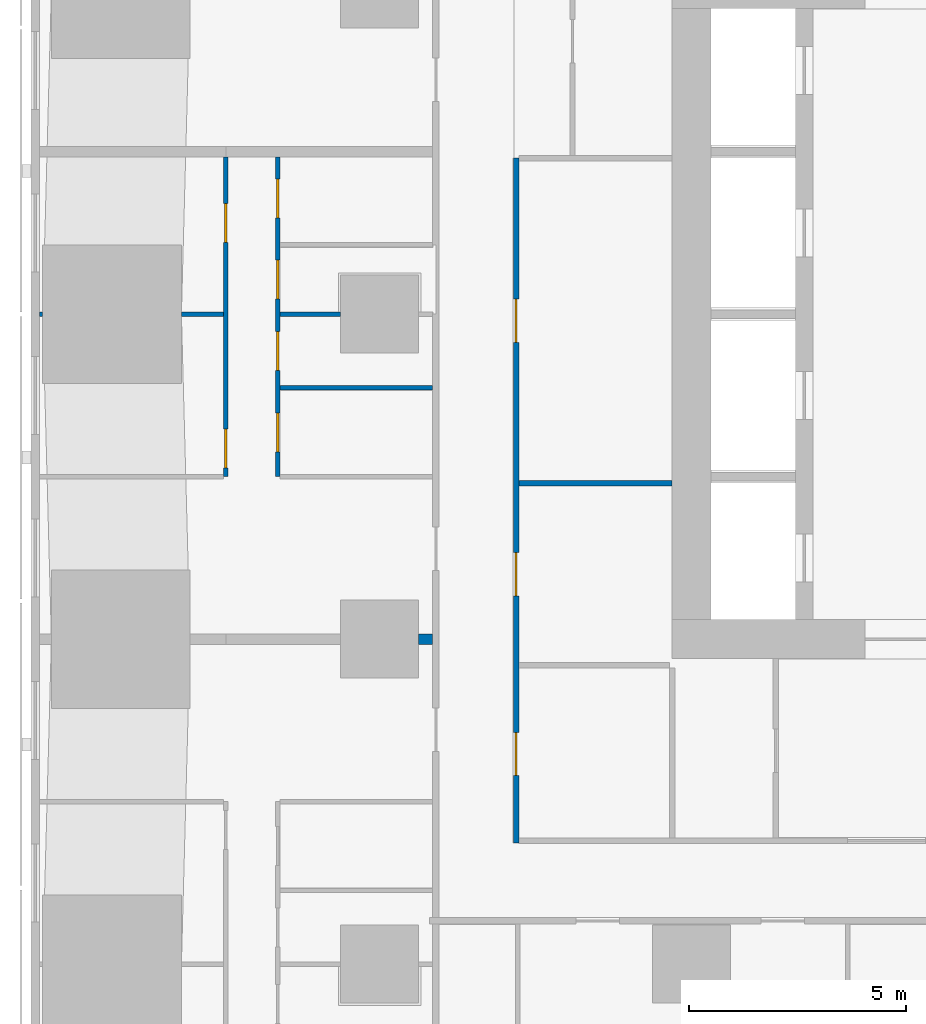
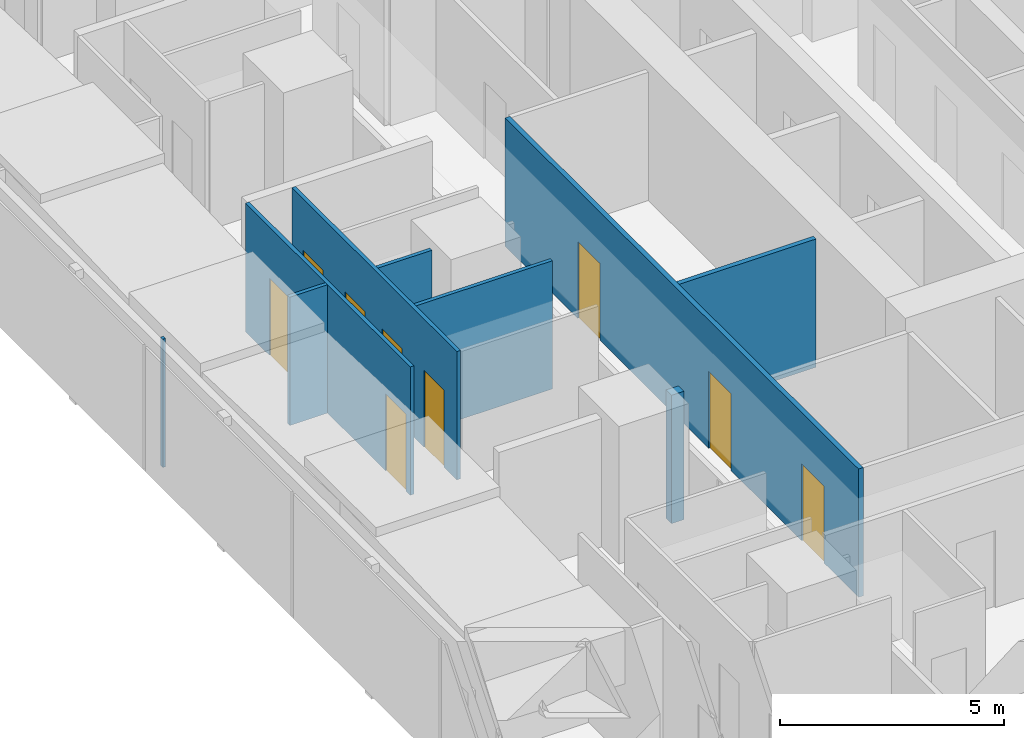
# One storey, part 6 of 18: 9 doors, 9 walls, 9 openings.
"""IFC4 building model written with IfcOpenShell, lengths in metres."""

from ifc_helpers import new_model, si_unit, direction, frame, frame_2d, origin, place, context, subcontext, project, spatial, rectangle, extrude, material, layer, layer_set, type_object, element, fill, save


model = new_model("IFC4")

# Units and contexts
model_context = context("Model", 3, precision=1e-05, world=origin(), true_north=direction((0.0, 1.0)))
body_context = subcontext(model_context, "Body", "Model", "MODEL_VIEW")
ifc_project = project(units=[si_unit("LENGTHUNIT", "METRE"), si_unit("AREAUNIT", "SQUARE_METRE"), si_unit("VOLUMEUNIT", "CUBIC_METRE"), si_unit("PLANEANGLEUNIT", "RADIAN"), si_unit("MASSUNIT", "GRAM", prefix="KILO")], contexts=[model_context])

# Site, building, storey
site_placement = place(None, origin())
site = spatial("IfcSite", under=ifc_project, at=site_placement, CompositionType="ELEMENT")
building_placement = place(site_placement, origin())
building = spatial("IfcBuilding", under=site, at=building_placement, Name="Sheger Commons Tower", CompositionType="ELEMENT")
storey_placement = place(building_placement, frame((0.0, 0.0, 20.0)))
storey = spatial("IfcBuildingStorey", under=building, at=storey_placement, Name="L04", CompositionType="ELEMENT", Elevation=20.0)

# Wall
ifc_material_1 = material(Name="Dense concrete block masonry, plastered both sides (separating wall between flats)", Category="masonry")
ifc_layer_1 = layer(ifc_material_1, 0.25)
ifc_layer_set_1 = layer_set([ifc_layer_1], Name="DEMISING WALL 250")
wall_type_1 = type_object("IfcWallType", Name="DEMISING WALL 250", PredefinedType="SOLIDWALL", material=ifc_layer_set_1)
wall_1_placement = place(storey_placement, frame((8.10107421875, 15.0, 0.0), z_axis=(0.0, 0.0, 1.0), x_axis=(1.0, 0.0, 0.0)))
element("IfcWall", 1, at=wall_1_placement, inside=storey, type_object=wall_type_1, Name="Demising wall L04", PredefinedType="SOLIDWALL", context=body_context, shape_type="SweptSolid", body=[
    extrude(rectangle(XDim=0.323974609375, YDim=0.25, at=frame_2d((0.162109375, 0.0))), origin(), (0.0, 0.0, 1.0), 3.5),
])

# Wall, openings, doors
ifc_material_2 = material(Name="Gypsum board on steel studs", Category="steel")
ifc_layer_2 = layer(ifc_material_2, 0.10009765625)
ifc_layer_set_2 = layer_set([ifc_layer_2], Name="PARTITION 100")
wall_type_2 = type_object("IfcWallType", Name="PARTITION 100", PredefinedType="PARTITIONING", material=ifc_layer_set_2)
wall_2_placement = place(storey_placement, frame((3.64990234375, 18.75, 0.0), z_axis=(0.0, 0.0, 1.0), x_axis=(0.0, 1.0, 0.0)))
wall_2 = element("IfcWall", 2, at=wall_2_placement, inside=storey, type_object=wall_type_2, Name="Partition L04", PredefinedType="PARTITIONING", context=body_context, shape_type="SweptSolid", body=[
    extrude(rectangle(XDim=7.375, YDim=0.10009765625, at=frame_2d((3.6875, 0.0))), origin(), (0.0, 0.0, 1.0), 3.5),
])
opening_1_placement = place(wall_2_placement, frame((0.199951171875, 0.0, 0.0)))
opening_1 = element("IfcOpeningElement", 3, at=opening_1_placement, cuts=wall_2, Name="Opening D2", PredefinedType="OPENING", context=body_context, shape_type="SweptSolid", body=[
    extrude(rectangle(XDim=0.89990234375, YDim=2.10009765625, at=frame_2d((0.449951171875, 1.050048828125))), frame((0.0, 0.06005859375, 0.0), z_axis=(0.0, -1.0, 0.0), x_axis=(1.0, 0.0, 0.0)), (0.0, 0.0, 1.0), 0.1201171875),
])
opening_2_placement = place(wall_2_placement, frame((5.39990234375, 0.0, 0.0)))
opening_2 = element("IfcOpeningElement", 4, at=opening_2_placement, cuts=wall_2, Name="Opening D2", PredefinedType="OPENING", context=body_context, shape_type="SweptSolid", body=[
    extrude(rectangle(XDim=0.89990234375, YDim=2.10009765625, at=frame_2d((0.449951171875, 1.050048828125))), frame((0.0, 0.06005859375, 0.0), z_axis=(0.0, -1.0, 0.0), x_axis=(1.0, 0.0, 0.0)), (0.0, 0.0, 1.0), 0.1201171875),
])
ifc_material_3 = material(Name="Timber door set", Category="wood")
door_type_1 = type_object("IfcDoorType", Name="INTERNAL DOOR 900x2100", OperationType="NOTDEFINED", PredefinedType="DOOR", material=ifc_material_3)
door_1_placement = place(opening_1_placement, origin())
door_1 = element("IfcDoor", 5, at=door_1_placement, inside=storey, type_object=door_type_1, Name="Main bedroom door", OperationType="SINGLE_SWING_LEFT", OverallHeight=2.10009765625, OverallWidth=0.89990234375, PredefinedType="DOOR", context=body_context, shape_type="SweptSolid", body=[
    extrude(rectangle(XDim=0.89990234375, YDim=2.10009765625, at=frame_2d((0.449951171875, 1.050048828125))), frame((0.0, 0.02490234375, 0.0), z_axis=(0.0, -1.0, 0.0), x_axis=(1.0, 0.0, 0.0)), (0.0, 0.0, 1.0), 0.050048828125),
])
fill(opening_1, door_1)
door_2_placement = place(opening_2_placement, origin())
door_2 = element("IfcDoor", 6, at=door_2_placement, inside=storey, type_object=door_type_1, Name="Bedroom 2 door", OperationType="SINGLE_SWING_RIGHT", OverallHeight=2.10009765625, OverallWidth=0.89990234375, PredefinedType="DOOR", context=body_context, shape_type="SweptSolid", body=[
    extrude(rectangle(XDim=0.89990234375, YDim=2.10009765625, at=frame_2d((0.449951171875, 1.050048828125))), frame((0.0, 0.02490234375, 0.0), z_axis=(0.0, -1.0, 0.0), x_axis=(1.0, 0.0, 0.0)), (0.0, 0.0, 1.0), 0.050048828125),
])
fill(opening_2, door_2)

wall_3_placement = place(storey_placement, frame((4.85009765625, 18.75, 0.0), z_axis=(0.0, 0.0, 1.0), x_axis=(0.0, 1.0, 0.0)))
wall_3 = element("IfcWall", 7, at=wall_3_placement, inside=storey, type_object=wall_type_2, Name="Partition L04", PredefinedType="PARTITIONING", context=body_context, shape_type="SweptSolid", body=[
    extrude(rectangle(XDim=7.375, YDim=0.10009765625, at=frame_2d((3.6875, 0.0))), origin(), (0.0, 0.0, 1.0), 3.5),
])
opening_3_placement = place(wall_3_placement, frame((0.574951171875, 0.0, 0.0)))
opening_3 = element("IfcOpeningElement", 8, at=opening_3_placement, cuts=wall_3, Name="Opening D2", PredefinedType="OPENING", context=body_context, shape_type="SweptSolid", body=[
    extrude(rectangle(XDim=0.89990234375, YDim=2.10009765625, at=frame_2d((0.449951171875, 1.050048828125))), frame((0.0, 0.06005859375, 0.0), z_axis=(0.0, -1.0, 0.0), x_axis=(1.0, 0.0, 0.0)), (0.0, 0.0, 1.0), 0.1201171875),
])
opening_4_placement = place(wall_3_placement, frame((4.10009765625, 0.0, 0.0)))
opening_4 = element("IfcOpeningElement", 9, at=opening_4_placement, cuts=wall_3, Name="Opening D2", PredefinedType="OPENING", context=body_context, shape_type="SweptSolid", body=[
    extrude(rectangle(XDim=0.89990234375, YDim=2.10009765625, at=frame_2d((0.449951171875, 1.050048828125))), frame((0.0, 0.06005859375, 0.0), z_axis=(0.0, -1.0, 0.0), x_axis=(1.0, 0.0, 0.0)), (0.0, 0.0, 1.0), 0.1201171875),
])
opening_5_placement = place(wall_3_placement, frame((2.449951171875, 0.0, 0.0)))
opening_5 = element("IfcOpeningElement", 10, at=opening_5_placement, cuts=wall_3, Name="Opening D2", PredefinedType="OPENING", context=body_context, shape_type="SweptSolid", body=[
    extrude(rectangle(XDim=0.89990234375, YDim=2.10009765625, at=frame_2d((0.449951171875, 1.050048828125))), frame((0.0, 0.06005859375, 0.0), z_axis=(0.0, -1.0, 0.0), x_axis=(1.0, 0.0, 0.0)), (0.0, 0.0, 1.0), 0.1201171875),
])
opening_6_placement = place(wall_3_placement, frame((5.97509765625, 0.0, 0.0)))
opening_6 = element("IfcOpeningElement", 11, at=opening_6_placement, cuts=wall_3, Name="Opening D2", PredefinedType="OPENING", context=body_context, shape_type="SweptSolid", body=[
    extrude(rectangle(XDim=0.89990234375, YDim=2.10009765625, at=frame_2d((0.449951171875, 1.050048828125))), frame((0.0, 0.06005859375, 0.0), z_axis=(0.0, -1.0, 0.0), x_axis=(1.0, 0.0, 0.0)), (0.0, 0.0, 1.0), 0.1201171875),
])
door_3_placement = place(opening_3_placement, origin())
door_3 = element("IfcDoor", 12, at=door_3_placement, inside=storey, type_object=door_type_1, Name="Bathroom door", OperationType="SINGLE_SWING_RIGHT", OverallHeight=2.10009765625, OverallWidth=0.89990234375, PredefinedType="DOOR", context=body_context, shape_type="SweptSolid", body=[
    extrude(rectangle(XDim=0.89990234375, YDim=2.10009765625, at=frame_2d((0.449951171875, 1.050048828125))), frame((0.0, 0.02490234375, 0.0), z_axis=(0.0, -1.0, 0.0), x_axis=(1.0, 0.0, 0.0)), (0.0, 0.0, 1.0), 0.050048828125),
])
fill(opening_3, door_3)
door_4_placement = place(opening_4_placement, origin())
door_4 = element("IfcDoor", 13, at=door_4_placement, inside=storey, type_object=door_type_1, Name="Shower room door", OperationType="SINGLE_SWING_RIGHT", OverallHeight=2.10009765625, OverallWidth=0.89990234375, PredefinedType="DOOR", context=body_context, shape_type="SweptSolid", body=[
    extrude(rectangle(XDim=0.89990234375, YDim=2.10009765625, at=frame_2d((0.449951171875, 1.050048828125))), frame((0.0, 0.02490234375, 0.0), z_axis=(0.0, -1.0, 0.0), x_axis=(1.0, 0.0, 0.0)), (0.0, 0.0, 1.0), 0.050048828125),
])
fill(opening_4, door_4)
door_5_placement = place(opening_5_placement, origin())
door_5 = element("IfcDoor", 14, at=door_5_placement, inside=storey, type_object=door_type_1, Name="Store door", OperationType="SINGLE_SWING_RIGHT", OverallHeight=2.10009765625, OverallWidth=0.89990234375, PredefinedType="DOOR", context=body_context, shape_type="SweptSolid", body=[
    extrude(rectangle(XDim=0.89990234375, YDim=2.10009765625, at=frame_2d((0.449951171875, 1.050048828125))), frame((0.0, 0.02490234375, 0.0), z_axis=(0.0, -1.0, 0.0), x_axis=(1.0, 0.0, 0.0)), (0.0, 0.0, 1.0), 0.050048828125),
])
fill(opening_5, door_5)
door_6_placement = place(opening_6_placement, origin())
door_6 = element("IfcDoor", 15, at=door_6_placement, inside=storey, type_object=door_type_1, Name="Store door", OperationType="SINGLE_SWING_LEFT", OverallHeight=2.10009765625, OverallWidth=0.89990234375, PredefinedType="DOOR", context=body_context, shape_type="SweptSolid", body=[
    extrude(rectangle(XDim=0.89990234375, YDim=2.10009765625, at=frame_2d((0.449951171875, 1.050048828125))), frame((0.0, 0.02490234375, 0.0), z_axis=(0.0, -1.0, 0.0), x_axis=(1.0, 0.0, 0.0)), (0.0, 0.0, 1.0), 0.050048828125),
])
fill(opening_6, door_6)

# Walls
wall_4_placement = place(storey_placement, frame((-0.64990234375, 22.5, 0.0), z_axis=(0.0, 0.0, 1.0), x_axis=(1.0, 0.0, 0.0)))
element("IfcWall", 16, at=wall_4_placement, inside=storey, type_object=wall_type_2, Name="Partition L04", PredefinedType="PARTITIONING", context=body_context, shape_type="SweptSolid", body=[
    extrude(rectangle(XDim=0.073974609375, YDim=0.10009765625, at=frame_2d((0.037109375, 0.0))), origin(), (0.0, 0.0, 1.0), 3.5),
])
wall_5_placement = place(storey_placement, frame((2.6259765625, 22.5, 0.0), z_axis=(0.0, 0.0, 1.0), x_axis=(1.0, 0.0, 0.0)))
element("IfcWall", 17, at=wall_5_placement, inside=storey, type_object=wall_type_2, Name="Partition L04", PredefinedType="PARTITIONING", context=body_context, shape_type="SweptSolid", body=[
    extrude(rectangle(XDim=0.97412109375, YDim=0.10009765625, at=frame_2d((0.487060546875, 0.0))), origin(), (0.0, 0.0, 1.0), 3.5),
])
wall_6_placement = place(storey_placement, frame((4.89990234375, 22.5, 0.0), z_axis=(0.0, 0.0, 1.0), x_axis=(1.0, 0.0, 0.0)))
element("IfcWall", 18, at=wall_6_placement, inside=storey, type_object=wall_type_2, Name="Partition L04", PredefinedType="PARTITIONING", context=body_context, shape_type="SweptSolid", body=[
    extrude(rectangle(XDim=1.399169921875, YDim=0.10009765625, at=frame_2d((0.69970703125, 0.0))), origin(), (0.0, 0.0, 1.0), 3.5),
])
wall_7_placement = place(storey_placement, frame((4.89990234375, 20.800048828125, 0.0), z_axis=(0.0, 0.0, 1.0), x_axis=(1.0, 0.0, 0.0)))
element("IfcWall", 19, at=wall_7_placement, inside=storey, type_object=wall_type_2, Name="Partition L04", PredefinedType="PARTITIONING", context=body_context, shape_type="SweptSolid", body=[
    extrude(rectangle(XDim=3.525146484375, YDim=0.10009765625, at=frame_2d((1.7626953125, 0.0))), origin(), (0.0, 0.0, 1.0), 3.5),
])

# Wall, openings, doors
ifc_material_4 = material(Name="Gypsum board on steel studs, two layers each side, fire rated", Category="steel")
ifc_layer_3 = layer(ifc_material_4, 0.125)
ifc_layer_set_3 = layer_set([ifc_layer_3], Name="SERVICE WALL 125")
wall_type_3 = type_object("IfcWallType", Name="SERVICE WALL 125", PredefinedType="PARTITIONING", material=ifc_layer_set_3)
wall_8_placement = place(storey_placement, frame((10.35009765625, 10.300048828125, 0.0), z_axis=(0.0, 0.0, 1.0), x_axis=(0.0, 1.0, 0.0)))
wall_8 = element("IfcWall", 20, at=wall_8_placement, inside=storey, type_object=wall_type_3, Name="Service room wall L04", PredefinedType="PARTITIONING", context=body_context, shape_type="SweptSolid", body=[
    extrude(rectangle(XDim=15.800048828125, YDim=0.125, at=frame_2d((7.89990234375, 0.0))), origin(), (0.0, 0.0, 1.0), 3.5),
])
opening_7_placement = place(wall_8_placement, frame((1.550048828125, 0.0, 0.0)))
opening_7 = element("IfcOpeningElement", 21, at=opening_7_placement, cuts=wall_8, Name="Opening D4", PredefinedType="OPENING", context=body_context, shape_type="SweptSolid", body=[
    extrude(rectangle(XDim=1.0, YDim=2.10009765625, at=frame_2d((0.5, 1.050048828125))), frame((0.0, 0.072509765625, 0.0), z_axis=(0.0, -1.0, 0.0), x_axis=(1.0, 0.0, 0.0)), (0.0, 0.0, 1.0), 0.14501953125),
])
opening_8_placement = place(wall_8_placement, frame((5.699951171875, 0.0, 0.0)))
opening_8 = element("IfcOpeningElement", 22, at=opening_8_placement, cuts=wall_8, Name="Opening D4", PredefinedType="OPENING", context=body_context, shape_type="SweptSolid", body=[
    extrude(rectangle(XDim=1.0, YDim=2.10009765625, at=frame_2d((0.5, 1.050048828125))), frame((0.0, 0.072509765625, 0.0), z_axis=(0.0, -1.0, 0.0), x_axis=(1.0, 0.0, 0.0)), (0.0, 0.0, 1.0), 0.14501953125),
])
opening_9_placement = place(wall_8_placement, frame((11.550048828125, 0.0, 0.0)))
opening_9 = element("IfcOpeningElement", 23, at=opening_9_placement, cuts=wall_8, Name="Opening D4", PredefinedType="OPENING", context=body_context, shape_type="SweptSolid", body=[
    extrude(rectangle(XDim=1.0, YDim=2.10009765625, at=frame_2d((0.5, 1.050048828125))), frame((0.0, 0.072509765625, 0.0), z_axis=(0.0, -1.0, 0.0), x_axis=(1.0, 0.0, 0.0)), (0.0, 0.0, 1.0), 0.14501953125),
])
ifc_material_5 = material(Name="Steel door set, fire rated", Category="steel")
door_type_2 = type_object("IfcDoorType", Name="SERVICE DOOR 1000x2100", OperationType="NOTDEFINED", PredefinedType="DOOR", material=ifc_material_5)
door_7_placement = place(opening_7_placement, origin())
door_7 = element("IfcDoor", 24, at=door_7_placement, inside=storey, type_object=door_type_2, Name="Refuse chute room door", OperationType="SINGLE_SWING_RIGHT", OverallHeight=2.10009765625, OverallWidth=1.0, PredefinedType="DOOR", context=body_context, shape_type="SweptSolid", body=[
    extrude(rectangle(XDim=1.0, YDim=2.10009765625, at=frame_2d((0.5, 1.050048828125))), frame((0.0, 0.02490234375, 0.0), z_axis=(0.0, -1.0, 0.0), x_axis=(1.0, 0.0, 0.0)), (0.0, 0.0, 1.0), 0.050048828125),
])
fill(opening_7, door_7)
door_8_placement = place(opening_8_placement, origin())
door_8 = element("IfcDoor", 25, at=door_8_placement, inside=storey, type_object=door_type_2, Name="Recycling room door", OperationType="SINGLE_SWING_LEFT", OverallHeight=2.10009765625, OverallWidth=1.0, PredefinedType="DOOR", context=body_context, shape_type="SweptSolid", body=[
    extrude(rectangle(XDim=1.0, YDim=2.10009765625, at=frame_2d((0.5, 1.050048828125))), frame((0.0, 0.02490234375, 0.0), z_axis=(0.0, -1.0, 0.0), x_axis=(1.0, 0.0, 0.0)), (0.0, 0.0, 1.0), 0.050048828125),
])
fill(opening_8, door_8)
door_9_placement = place(opening_9_placement, origin())
door_9 = element("IfcDoor", 26, at=door_9_placement, inside=storey, type_object=door_type_2, Name="Bicycle and pram store door", OperationType="SINGLE_SWING_LEFT", OverallHeight=2.10009765625, OverallWidth=1.0, PredefinedType="DOOR", context=body_context, shape_type="SweptSolid", body=[
    extrude(rectangle(XDim=1.0, YDim=2.10009765625, at=frame_2d((0.5, 1.050048828125))), frame((0.0, 0.02490234375, 0.0), z_axis=(0.0, -1.0, 0.0), x_axis=(1.0, 0.0, 0.0)), (0.0, 0.0, 1.0), 0.050048828125),
])
fill(opening_9, door_9)

# Wall
wall_9_placement = place(storey_placement, frame((10.4130859375, 18.60009765625, 0.0), z_axis=(0.0, 0.0, 1.0), x_axis=(1.0, 0.0, 0.0)))
element("IfcWall", 27, at=wall_9_placement, inside=storey, type_object=wall_type_3, Name="Service room wall L04", PredefinedType="PARTITIONING", context=body_context, shape_type="SweptSolid", body=[
    extrude(rectangle(XDim=3.536865234375, YDim=0.125, at=frame_2d((1.7685546875, 0.0))), origin(), (0.0, 0.0, 1.0), 3.5),
])

save(model, "model.ifc")
